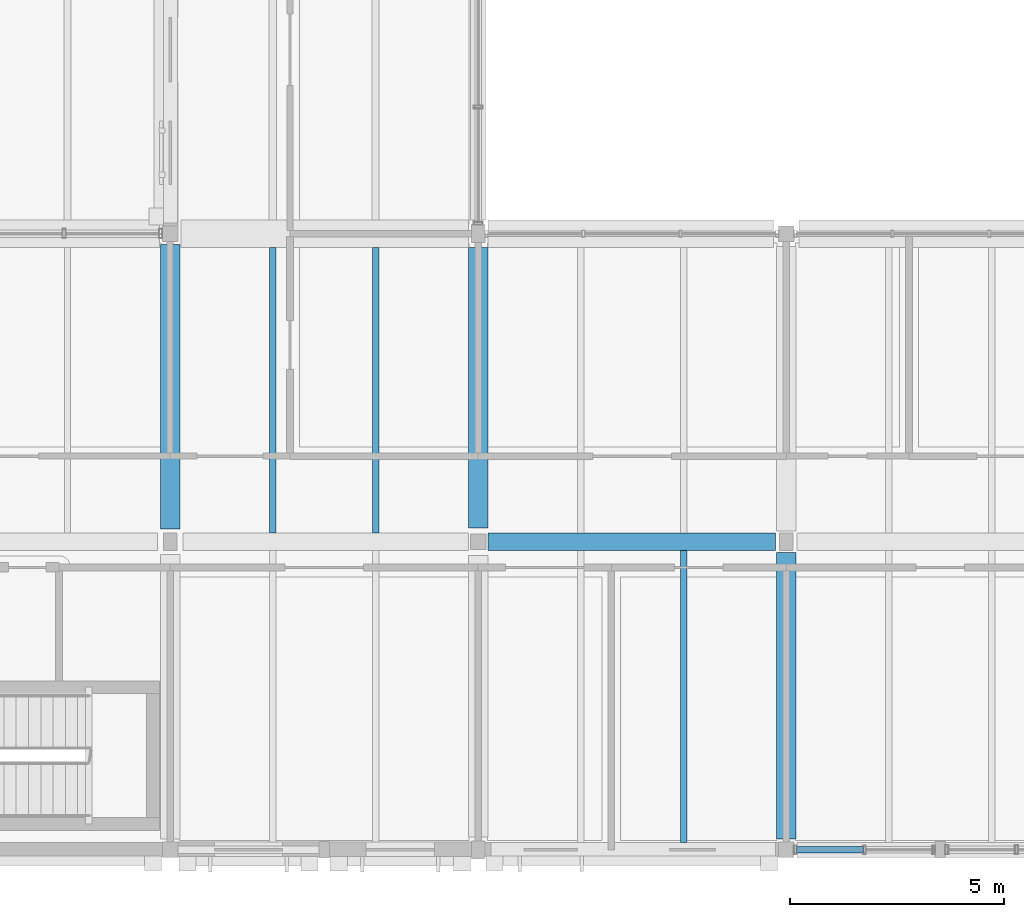
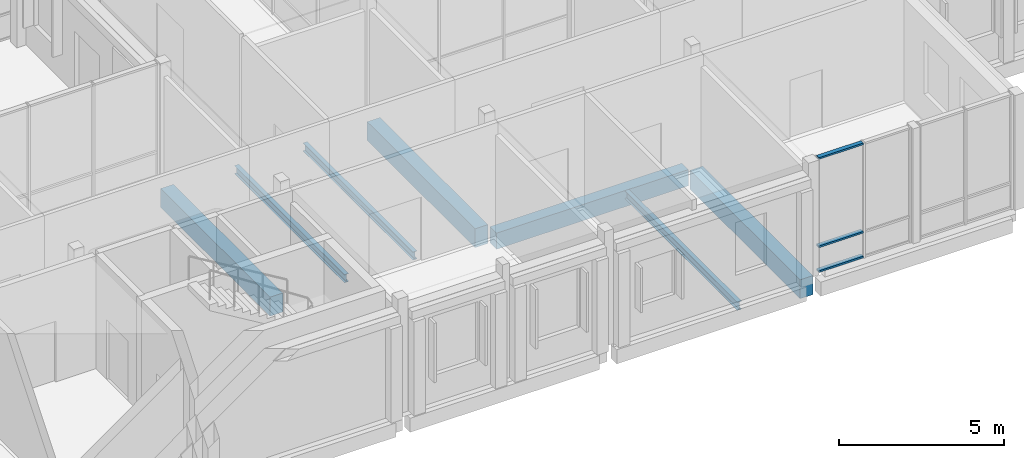
# One storey, part 19 of 146: 7 beams, 3 members, 1 element without a shape of its own.
"""IFC4 building model written with IfcOpenShell, lengths in metres."""

from ifc_helpers import new_model, si_unit, direction, frame, origin, origin_2d, place, context, subcontext, project, spatial, rectangle, hollow_rectangle, i_section, extrude, material, material_profile, profile_set, type_object, element, aggregate, save


model = new_model("IFC4")

# Units and contexts
model_context = context("Model", 3, precision=1e-05, world=origin(), true_north=direction((0.0, 1.0)))
body_context = subcontext(model_context, "Body", "Model", "MODEL_VIEW")
ifc_project = project(units=[si_unit("LENGTHUNIT", "METRE"), si_unit("AREAUNIT", "SQUARE_METRE"), si_unit("VOLUMEUNIT", "CUBIC_METRE"), si_unit("PLANEANGLEUNIT", "RADIAN"), si_unit("MASSUNIT", "GRAM", prefix="KILO")], contexts=[model_context])

# Site, building, storey
site_placement = place(None, origin())
site = spatial("IfcSite", under=ifc_project, at=site_placement, CompositionType="ELEMENT")
building_placement = place(site_placement, origin())
building = spatial("IfcBuilding", under=site, at=building_placement, Name="Hawrajan Terrace Health Centre", CompositionType="ELEMENT")
storey_placement = place(building_placement, frame((0.0, 0.0, 4.5)))
storey = spatial("IfcBuildingStorey", under=building, at=storey_placement, Name="L01", CompositionType="ELEMENT", Elevation=4.5)

# Curtain wall, members
ifc_material_1 = material(Name="Anodized bronze aluminium and low-E solar glazing", Category="aluminium")
curtain_wall_type = type_object("IfcCurtainWallType", Name="CW_Pavilion_SeriesE2", PredefinedType="USERDEFINED", material=ifc_material_1)
curtain_wall_placement = place(storey_placement, origin())
curtain_wall = element("IfcCurtainWall", 1, at=curtain_wall_placement, inside=storey, type_object=curtain_wall_type, Name="Curtain wall CW-L01-061", ObjectType="UNITISED CURTAIN WALL", PredefinedType="USERDEFINED")
ifc_material_2 = material(Name="Anodized bronze aluminium 6063-T6", Category="aluminium")
ifc_material_profile_1 = material_profile(ifc_material_2, hollow_rectangle(XDim=0.06494140625, YDim=0.14990234375, WallThickness=0.00390625, at=origin_2d()), Name="CW TRN 65x150")
ifc_profile_set_1 = profile_set([ifc_material_profile_1], Name="Anodized bronze aluminium 6063-T6")
member_type = type_object("IfcMemberType", Name="CWTransom_65x150", PredefinedType="USERDEFINED", material=ifc_profile_set_1)
member_1_placement = place(storey_placement, frame((33.638916015625, 4.199951171875, 0.032470703125), z_axis=(1.0, 0.0, 0.0), x_axis=(0.0, 0.0, 1.0)))
member_1 = element("IfcMember", 2, at=member_1_placement, type_object=member_type, Name="Transom CW-L01-061-T1-1", ObjectType="TRANSOM", PredefinedType="USERDEFINED", context=body_context, shape_type="SweptSolid", body=[
    extrude(hollow_rectangle(XDim=0.06494140625, YDim=0.14990234375, WallThickness=0.00390625, at=origin_2d()), origin(), (0.0, 0.0, 1.0), 1.564697265625),
])
member_2_placement = place(storey_placement, frame((33.638916015625, 4.199951171875, 0.949951171875), z_axis=(1.0, 0.0, 0.0), x_axis=(0.0, 0.0, 1.0)))
member_2 = element("IfcMember", 3, at=member_2_placement, type_object=member_type, Name="Transom CW-L01-061-T1-2", ObjectType="TRANSOM", PredefinedType="USERDEFINED", context=body_context, shape_type="SweptSolid", body=[
    extrude(hollow_rectangle(XDim=0.06494140625, YDim=0.14990234375, WallThickness=0.00390625, at=origin_2d()), origin(), (0.0, 0.0, 1.0), 1.564697265625),
])
member_3_placement = place(storey_placement, frame((33.638916015625, 4.199951171875, 4.2275390625), z_axis=(1.0, 0.0, 0.0), x_axis=(0.0, 0.0, 1.0)))
member_3 = element("IfcMember", 4, at=member_3_placement, type_object=member_type, Name="Transom CW-L01-061-T1-3", ObjectType="TRANSOM", PredefinedType="USERDEFINED", context=body_context, shape_type="SweptSolid", body=[
    extrude(hollow_rectangle(XDim=0.06494140625, YDim=0.14990234375, WallThickness=0.00390625, at=origin_2d()), origin(), (0.0, 0.0, 1.0), 1.564697265625),
])
aggregate(curtain_wall, [member_1, member_2, member_3])

# Beams
ifc_material_3 = material(Name="Concrete C40/50", Category="concrete")
ifc_material_profile_2 = material_profile(ifc_material_3, rectangle(XDim=0.39990234375, YDim=0.60009765625, at=origin_2d()), Name="RC BM 400x600")
ifc_profile_set_2 = profile_set([ifc_material_profile_2], Name="Concrete C40/50")
beam_type_1 = type_object("IfcBeamType", Name="RCGirder_400x600", PredefinedType="BEAM", material=ifc_profile_set_2)
beam_1_placement = place(storey_placement, frame((26.425048828125, 11.39990234375, -0.60009765625), z_axis=(1.0, 0.0, 0.0), x_axis=(0.0, 1.0, 0.0)))
element("IfcBeam", 5, at=beam_1_placement, inside=storey, type_object=beam_type_1, Name="Beam BM-X-L01-W-04-Y2", PredefinedType="BEAM", context=body_context, shape_type="SweptSolid", body=[
    extrude(rectangle(XDim=0.39990234375, YDim=0.60009765625, at=origin_2d()), origin(), (0.0, 0.0, 1.0), 6.724853515625),
])
ifc_material_profile_3 = material_profile(ifc_material_3, rectangle(XDim=0.449951171875, YDim=0.699951171875, at=origin_2d()), Name="RC BM 450x700")
ifc_profile_set_3 = profile_set([ifc_material_profile_3], Name="Concrete C40/50")
beam_type_2 = type_object("IfcBeamType", Name="RCGirder_450x700", PredefinedType="BEAM", material=ifc_profile_set_3)
beam_2_placement = place(storey_placement, frame((19.0, 11.699951171875, -0.64990234375), z_axis=(0.0, 1.0, 0.0), x_axis=(-1.0, 0.0, 0.0)))
element("IfcBeam", 6, at=beam_2_placement, inside=storey, type_object=beam_type_2, Name="Beam BM-Y-L01-W-X03-2", PredefinedType="BEAM", context=body_context, shape_type="SweptSolid", body=[
    extrude(rectangle(XDim=0.449951171875, YDim=0.699951171875, at=origin_2d()), origin(), (0.0, 0.0, 1.0), 6.650146484375),
])
beam_3_placement = place(storey_placement, frame((26.199951171875, 11.72509765625, -0.64990234375), z_axis=(0.0, 1.0, 0.0), x_axis=(-1.0, 0.0, 0.0)))
element("IfcBeam", 7, at=beam_3_placement, inside=storey, type_object=beam_type_2, Name="Beam BM-Y-L01-W-X04-2", PredefinedType="BEAM", context=body_context, shape_type="SweptSolid", body=[
    extrude(rectangle(XDim=0.449951171875, YDim=0.699951171875, at=origin_2d()), origin(), (0.0, 0.0, 1.0), 6.5498046875),
])
beam_4_placement = place(storey_placement, frame((33.39990234375, 4.449951171875, -0.64990234375), z_axis=(0.0, 1.0, 0.0), x_axis=(-1.0, 0.0, 0.0)))
element("IfcBeam", 8, at=beam_4_placement, inside=storey, type_object=beam_type_2, Name="Beam BM-Y-L01-W-X05-1", PredefinedType="BEAM", context=body_context, shape_type="SweptSolid", body=[
    extrude(rectangle(XDim=0.449951171875, YDim=0.699951171875, at=origin_2d()), origin(), (0.0, 0.0, 1.0), 6.699951171875),
])
ifc_material_4 = material(Name="Steel S355", Category="steel")
ifc_material_profile_4 = material_profile(ifc_material_4, i_section(OverallWidth=0.14990234375, OverallDepth=0.300048828125, WebThickness=0.007080078125, FlangeThickness=0.0107421875, FilletRadius=0.014892578125, at=origin_2d()), Name="IPE 300")
ifc_profile_set_4 = profile_set([ifc_material_profile_4], Name="Steel S355")
beam_type_3 = type_object("IfcBeamType", Name="SteelBeam_IPE300", PredefinedType="JOIST", material=ifc_profile_set_4)
for number, where, z_axis, x_axis, name in (
    (9, (21.39990234375, 11.60009765625, -0.449951171875), (0.0, 1.0, 0.0), (-1.0, 0.0, 0.0), "Secondary joist JST-L01-W-03-2-1"),
    (10, (23.800048828125, 11.60009765625, -0.449951171875), (0.0, 1.0, 0.0), (-1.0, 0.0, 0.0), "Secondary joist JST-L01-W-03-2-2"),
):
    element("IfcBeam", number, at=place(storey_placement, frame(where, z_axis=z_axis, x_axis=x_axis)), inside=storey, type_object=beam_type_3, Name=name, PredefinedType="JOIST", context=body_context, shape_type="SweptSolid", body=[
        extrude(i_section(OverallWidth=0.14990234375, OverallDepth=0.300048828125, WebThickness=0.007080078125, FlangeThickness=0.0107421875, FilletRadius=0.014892578125, at=origin_2d()), origin(), (0.0, 0.0, 1.0), 6.6748046875),
    ])
beam_5_placement = place(storey_placement, frame((31.0, 4.375, -0.449951171875), z_axis=(0.0, 1.0, 0.0), x_axis=(-1.0, 0.0, 0.0)))
element("IfcBeam", 11, at=beam_5_placement, inside=storey, type_object=beam_type_3, Name="Secondary joist JST-L01-W-04-1-2", PredefinedType="JOIST", context=body_context, shape_type="SweptSolid", body=[
    extrude(i_section(OverallWidth=0.14990234375, OverallDepth=0.300048828125, WebThickness=0.007080078125, FlangeThickness=0.0107421875, FilletRadius=0.014892578125, at=origin_2d()), origin(), (0.0, 0.0, 1.0), 6.824951171875),
])

save(model, "model.ifc")
